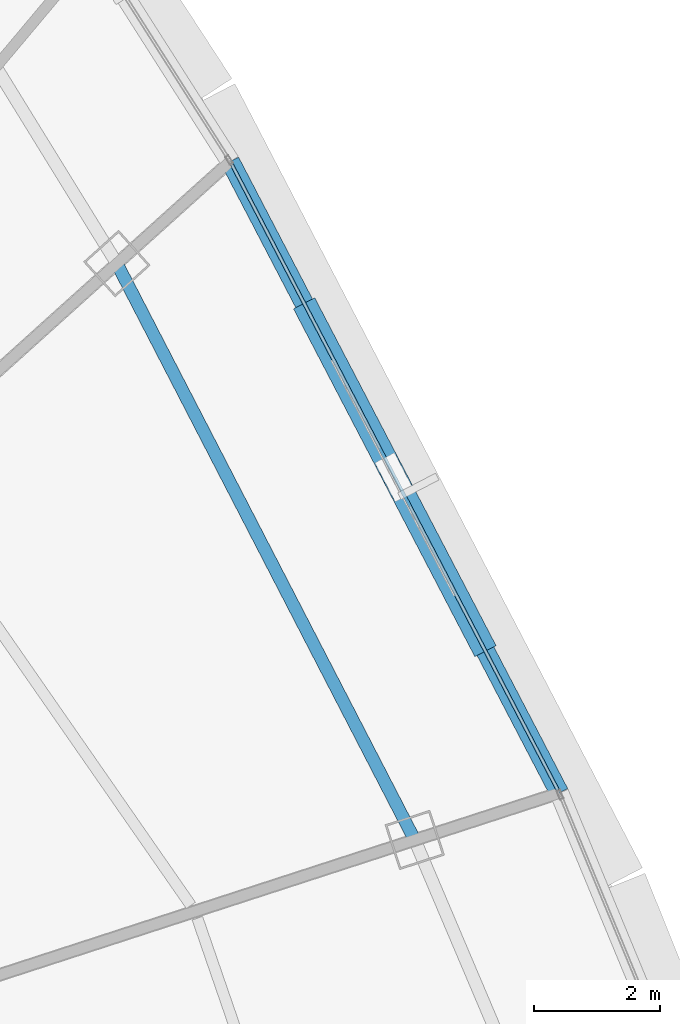
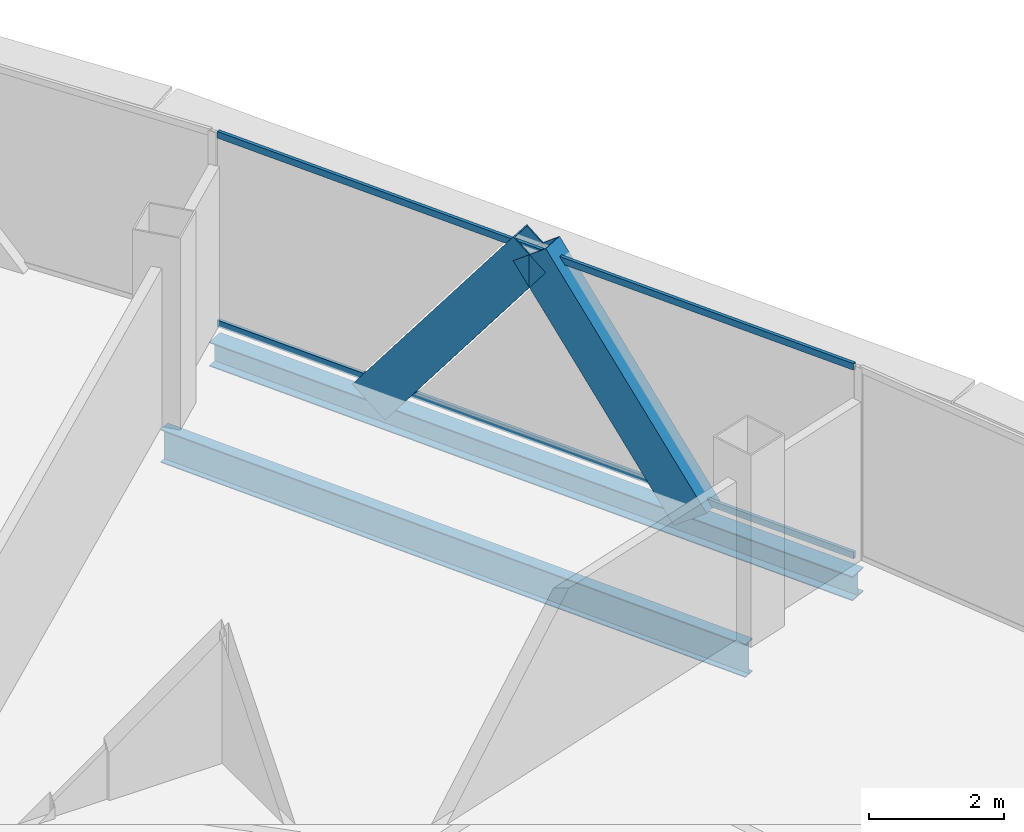
# One storey, part 19 of 40: 4 members, 2 beams, 1 element without a shape of its own.
"""IFC4 building model written with IfcOpenShell, lengths in metres."""

from ifc_helpers import new_model, si_unit, direction, frame, origin, origin_2d, place, context, subcontext, project, spatial, hollow_rectangle, i_section, extrude, source, transform, mapped, material, layer, layer_set, material_profile, profile_set, type_object, element, aggregate, save


model = new_model("IFC4")

# Units and contexts
model_context = context("Model", 3, precision=1e-05, world=origin(), true_north=direction((0.0, 1.0)))
body_context = subcontext(model_context, "Body", "Model", "MODEL_VIEW")
ifc_project = project(units=[si_unit("LENGTHUNIT", "METRE"), si_unit("AREAUNIT", "SQUARE_METRE"), si_unit("VOLUMEUNIT", "CUBIC_METRE"), si_unit("PLANEANGLEUNIT", "RADIAN"), si_unit("MASSUNIT", "GRAM", prefix="KILO"), si_unit("THERMODYNAMICTEMPERATUREUNIT", "KELVIN"), si_unit("POWERUNIT", "WATT")], contexts=[model_context])

# Site, building, storey
site_placement = place(None, origin())
site = spatial("IfcSite", under=ifc_project, at=site_placement, CompositionType="ELEMENT")
building_placement = place(site_placement, origin())
building = spatial("IfcBuilding", under=site, at=building_placement, Name="Yunzhuo Pagoda Commons", CompositionType="ELEMENT")
storey_placement = place(building_placement, frame((0.0, 0.0, 292.47998046875)))
storey = spatial("IfcBuildingStorey", under=building, at=storey_placement, Name="L73", CompositionType="ELEMENT", Elevation=292.47998046875)

# Beams
ifc_material_1 = material(Name="Structural steel Q355B", Category="steel")
ifc_material_profile_1 = material_profile(ifc_material_1, i_section(OverallWidth=0.199951171875, OverallDepth=0.60009765625, WebThickness=0.010986328125, FlangeThickness=0.01708984375, at=origin_2d()), Name="Structural steel Q355B")
ifc_profile_set_1 = profile_set([ifc_material_profile_1], Name="Structural steel Q355B")
beam_type_1 = type_object("IfcBeamType", Name="B-RG3 Beam HN 600x200x11x17", PredefinedType="BEAM", material=ifc_profile_set_1)
shared_shape_1 = source(origin(), body_context, "Body", "SweptSolid", [
    extrude(i_section(OverallWidth=0.199951171875, OverallDepth=0.60009765625, WebThickness=0.010986328125, FlangeThickness=0.01708984375, at=origin_2d()), origin(), (0.0, 0.0, 1.0), 10.3017578125),
])
beam_1_placement = place(storey_placement, frame((71.302490234375, 41.271484375, -0.56005859375), z_axis=(-0.459070867827, 0.888399650108, 0.0), x_axis=(-0.888399650108, -0.459070867827, 0.0)))
element("IfcBeam", 1, at=beam_1_placement, inside=storey, type_object=beam_type_1, Name="L73 column-ring beam 6", PredefinedType="BEAM", context=body_context, shape_type="MappedRepresentation", body=[
    mapped(shared_shape_1, transform((0.0, 0.0, 0.0), scale=1.0)),
])
ifc_material_profile_2 = material_profile(ifc_material_1, i_section(OverallWidth=0.300048828125, OverallDepth=0.43994140625, WebThickness=0.010986328125, FlangeThickness=0.01806640625, at=origin_2d()), Name="Structural steel Q355B")
ifc_profile_set_2 = profile_set([ifc_material_profile_2], Name="Structural steel Q355B")
beam_type_2 = type_object("IfcBeamType", Name="B-SP2 Beam HM 440x300x11x18", PredefinedType="BEAM", material=ifc_profile_set_2)
shared_shape_2 = source(origin(), body_context, "Body", "SweptSolid", [
    extrude(i_section(OverallWidth=0.300048828125, OverallDepth=0.43994140625, WebThickness=0.010986328125, FlangeThickness=0.01806640625, at=origin_2d()), origin(), (0.0, 0.0, 1.0), 11.306640625),
])
beam_2_placement = place(storey_placement, frame((73.59912109375, 42.017578125, -0.47998046875), z_axis=(-0.462239065904, 0.886755347293, 0.0), x_axis=(-0.886755347293, -0.462239065904, 0.0)))
element("IfcBeam", 2, at=beam_2_placement, inside=storey, type_object=beam_type_2, Name="L73 facade edge spandrel beam F2.2", PredefinedType="BEAM", context=body_context, shape_type="MappedRepresentation", body=[
    mapped(shared_shape_2, transform((0.0, 0.0, 0.0), scale=1.0)),
])

# Members
ifc_material_profile_3 = material_profile(ifc_material_1, hollow_rectangle(XDim=0.3798828125, YDim=0.719970703125, WallThickness=0.02001953125, at=origin_2d()), Name="Structural steel Q355B")
ifc_profile_set_3 = profile_set([ifc_material_profile_3], Name="Structural steel Q355B")
member_type_1 = type_object("IfcMemberType", Name="M-DL3 Brace BOX 720x380x20", PredefinedType="BRACE", material=ifc_profile_set_3)
shared_shape_3 = source(origin(), body_context, "Body", "SweptSolid", [
    extrude(hollow_rectangle(XDim=0.3798828125, YDim=0.719970703125, WallThickness=0.02001953125, at=origin_2d()), origin(), (0.0, 0.0, 1.0), 4.68017578125),
])
for number, where, z_axis, x_axis, name in (
    (3, (72.292724609375, 44.524169921875, -0.260009765625), (-0.279240565775, 0.535580588232, 0.796980639623), (-0.886715706539, -0.462315104422, 0.0), "L73 facade diamond brace F2.2L"),
    (4, (69.67919921875, 49.53759765625, -0.260009765625), (0.279184666524, -0.535625589662, 0.796969980411), (0.886769562818, 0.462211793943, 0.0), "L73 facade diamond brace F2.2R"),
):
    element("IfcMember", number, at=place(storey_placement, frame(where, z_axis=z_axis, x_axis=x_axis)), inside=storey, type_object=member_type_1, Name=name, PredefinedType="BRACE", context=body_context, shape_type="MappedRepresentation", body=[
        mapped(shared_shape_3, transform((0.0, 0.0, 0.0), scale=1.0)),
    ])

# Curtain wall, members
ifc_material_2 = material(Name="Anodized aluminium 6063-T6", Category="aluminium")
ifc_layer = layer(ifc_material_2, 0.139892578125)
ifc_layer_set = layer_set([ifc_layer], Name="Anodized aluminium 6063-T6")
curtain_wall_type = type_object("IfcCurtainWallType", Name="CW-HI High-Zone Ribbon Curtain Wall", PredefinedType="NOTDEFINED", material=ifc_layer_set)
curtain_wall_placement = place(storey_placement, origin())
curtain_wall = element("IfcCurtainWall", 5, at=curtain_wall_placement, inside=storey, type_object=curtain_wall_type, Name="L73 curtain wall CW-L73-F2B3", PredefinedType="NOTDEFINED")
ifc_material_profile_4 = material_profile(ifc_material_2, hollow_rectangle(XDim=0.054931640625, YDim=0.1201171875, WallThickness=0.00341796875, at=origin_2d()), Name="Anodized aluminium 6063-T6")
ifc_profile_set_4 = profile_set([ifc_material_profile_4], Name="Anodized aluminium 6063-T6")
member_type_2 = type_object("IfcMemberType", Name="CW-HI-T Transom RHS 120x55x3.5", PredefinedType="USERDEFINED", material=ifc_profile_set_4)
shared_shape_4 = source(origin(), body_context, "Body", "SweptSolid", [
    extrude(hollow_rectangle(XDim=0.054931640625, YDim=0.1201171875, WallThickness=0.00341796875, at=origin_2d()), origin(), (0.0, 0.0, 1.0), 11.1865234375),
])
member_1_placement = place(storey_placement, frame((73.5712890625, 42.07080078125, 0.027587890625), z_axis=(-0.462217657155, 0.886766506705, 0.0), x_axis=(-0.886766506705, -0.462217657155, 0.0)))
member_1 = element("IfcMember", 6, at=member_1_placement, type_object=member_type_2, Name="CW transom 1.1", ObjectType="TRANSOM", PredefinedType="USERDEFINED", context=body_context, shape_type="MappedRepresentation", body=[
    mapped(shared_shape_4, transform((0.0, 0.0, 0.0), scale=1.0)),
])
member_2_placement = place(storey_placement, frame((73.5712890625, 42.07080078125, 3.442626953125), z_axis=(-0.462217657155, 0.886766506705, 0.0), x_axis=(-0.886766506705, -0.462217657155, 0.0)))
member_2 = element("IfcMember", 7, at=member_2_placement, type_object=member_type_2, Name="CW transom 1.2", ObjectType="TRANSOM", PredefinedType="USERDEFINED", context=body_context, shape_type="MappedRepresentation", body=[
    mapped(shared_shape_4, transform((0.0, 0.0, 0.0), scale=1.0)),
])
aggregate(curtain_wall, [member_1, member_2])

save(model, "model.ifc")
